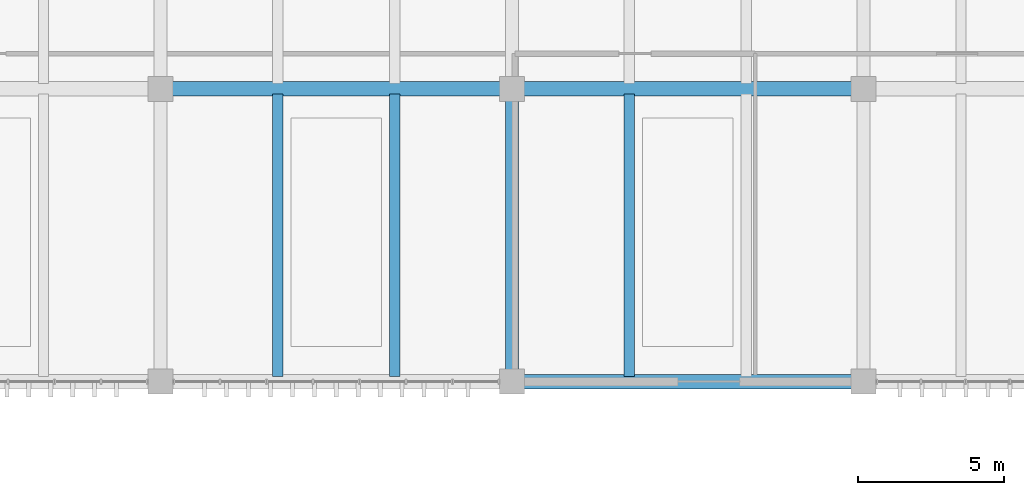
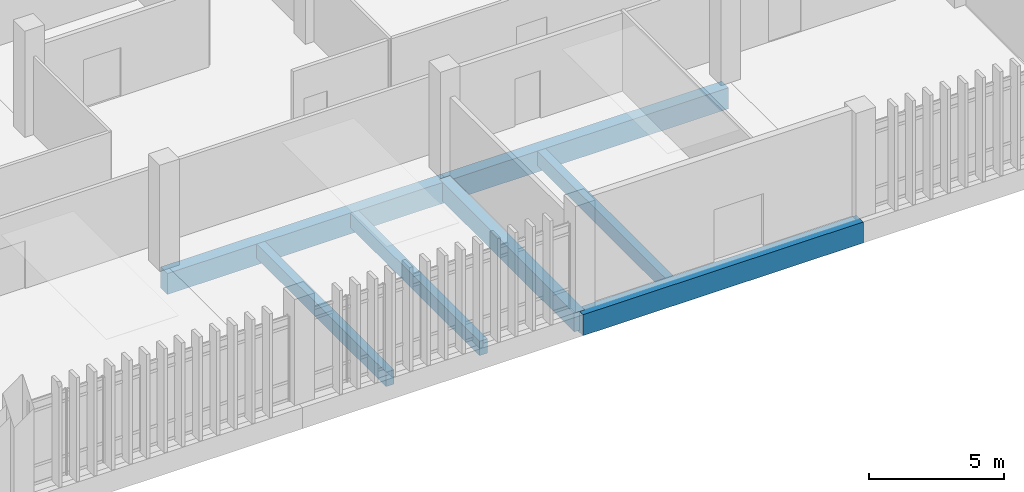
# One storey, part 40 of 87: 7 beams.
"""IFC4 building model written with IfcOpenShell, lengths in metres."""

from ifc_helpers import new_model, si_unit, direction, frame, origin, origin_2d, place, context, subcontext, project, spatial, rectangle, extrude, material, material_profile, profile_set, type_object, element, save


model = new_model("IFC4")

# Units and contexts
model_context = context("Model", 3, precision=1e-05, world=origin(), true_north=direction((0.0, 1.0)))
body_context = subcontext(model_context, "Body", "Model", "MODEL_VIEW")
ifc_project = project(units=[si_unit("LENGTHUNIT", "METRE"), si_unit("AREAUNIT", "SQUARE_METRE"), si_unit("VOLUMEUNIT", "CUBIC_METRE"), si_unit("PLANEANGLEUNIT", "RADIAN"), si_unit("MASSUNIT", "GRAM", prefix="KILO")], contexts=[model_context])

# Site, building, storey
site_placement = place(None, origin())
site = spatial("IfcSite", under=ifc_project, at=site_placement, CompositionType="ELEMENT")
building_placement = place(site_placement, origin())
building = spatial("IfcBuilding", under=site, at=building_placement, Name="Mersad Railyard Sports Hall", CompositionType="ELEMENT")
storey_placement = place(building_placement, origin())
storey = spatial("IfcBuildingStorey", under=building, at=storey_placement, Name="L00", CompositionType="ELEMENT", Elevation=0.0)

# Beams
ifc_material_1 = material(Name="Concrete C40/50", Category="concrete")
ifc_material_profile_1 = material_profile(ifc_material_1, rectangle(XDim=0.449951171875, YDim=0.85009765625, at=origin_2d()), Name="RC 450x850")
ifc_profile_set_1 = profile_set([ifc_material_profile_1], Name="Concrete C40/50")
beam_type_1 = type_object("IfcBeamType", Name="STR-BM-B02", PredefinedType="BEAM", material=ifc_profile_set_1)
beam_placement = place(storey_placement, frame((79.0, 85.0, -0.77490234375), z_axis=(0.0, 1.0, 0.0), x_axis=(-1.0, 0.0, 0.0)))
element("IfcBeam", 1, at=beam_placement, inside=storey, type_object=beam_type_1, Name="Beam B02-0183", PredefinedType="BEAM", context=body_context, shape_type="SweptSolid", body=[
    extrude(rectangle(XDim=0.449951171875, YDim=0.85009765625, at=origin_2d()), origin(), (0.0, 0.0, 1.0), 10.0),
])
ifc_material_2 = material(Name="Concrete C50/60", Category="concrete")
ifc_material_profile_2 = material_profile(ifc_material_2, rectangle(XDim=0.5, YDim=0.949951171875, at=origin_2d()), Name="RC 500x950")
ifc_profile_set_2 = profile_set([ifc_material_profile_2], Name="Concrete C50/60")
beam_type_2 = type_object("IfcBeamType", Name="STR-BM-B03", PredefinedType="BEAM", material=ifc_profile_set_2)
for number, where, z_axis, x_axis, name in (
    (2, (79.0, 85.0, -0.824951171875), (1.0, 0.0, 0.0), (0.0, 1.0, 0.0), "Beam B03-0145"),
    (3, (67.0, 95.0, -0.824951171875), (1.0, 0.0, 0.0), (0.0, 1.0, 0.0), "Beam B03-0152"),
    (4, (79.0, 95.0, -0.824951171875), (1.0, 0.0, 0.0), (0.0, 1.0, 0.0), "Beam B03-0153"),
):
    element("IfcBeam", number, at=place(storey_placement, frame(where, z_axis=z_axis, x_axis=x_axis)), inside=storey, type_object=beam_type_2, Name=name, PredefinedType="BEAM", context=body_context, shape_type="SweptSolid", body=[
        extrude(rectangle(XDim=0.5, YDim=0.949951171875, at=origin_2d()), origin(), (0.0, 0.0, 1.0), 12.0),
    ])
ifc_material_profile_3 = material_profile(ifc_material_1, rectangle(XDim=0.35009765625, YDim=0.64990234375, at=origin_2d()), Name="RC 350x650")
ifc_profile_set_3 = profile_set([ifc_material_profile_3], Name="Concrete C40/50")
beam_type_3 = type_object("IfcBeamType", Name="STR-BM-J01", PredefinedType="JOIST", material=ifc_profile_set_3)
for number, where, z_axis, x_axis, name in (
    (5, (71.0, 85.179931640625, -0.675048828125), (0.0, 1.0, 0.0), (-1.0, 0.0, 0.0), "Beam J01-0235"),
    (6, (75.0, 85.179931640625, -0.675048828125), (0.0, 1.0, 0.0), (-1.0, 0.0, 0.0), "Beam J01-0236"),
    (7, (83.0, 85.179931640625, -0.675048828125), (0.0, 1.0, 0.0), (-1.0, 0.0, 0.0), "Beam J01-0240"),
):
    element("IfcBeam", number, at=place(storey_placement, frame(where, z_axis=z_axis, x_axis=x_axis)), inside=storey, type_object=beam_type_3, Name=name, PredefinedType="JOIST", context=body_context, shape_type="SweptSolid", body=[
        extrude(rectangle(XDim=0.35009765625, YDim=0.64990234375, at=origin_2d()), origin(), (0.0, 0.0, 1.0), 9.64013671875),
    ])

save(model, "model.ifc")
